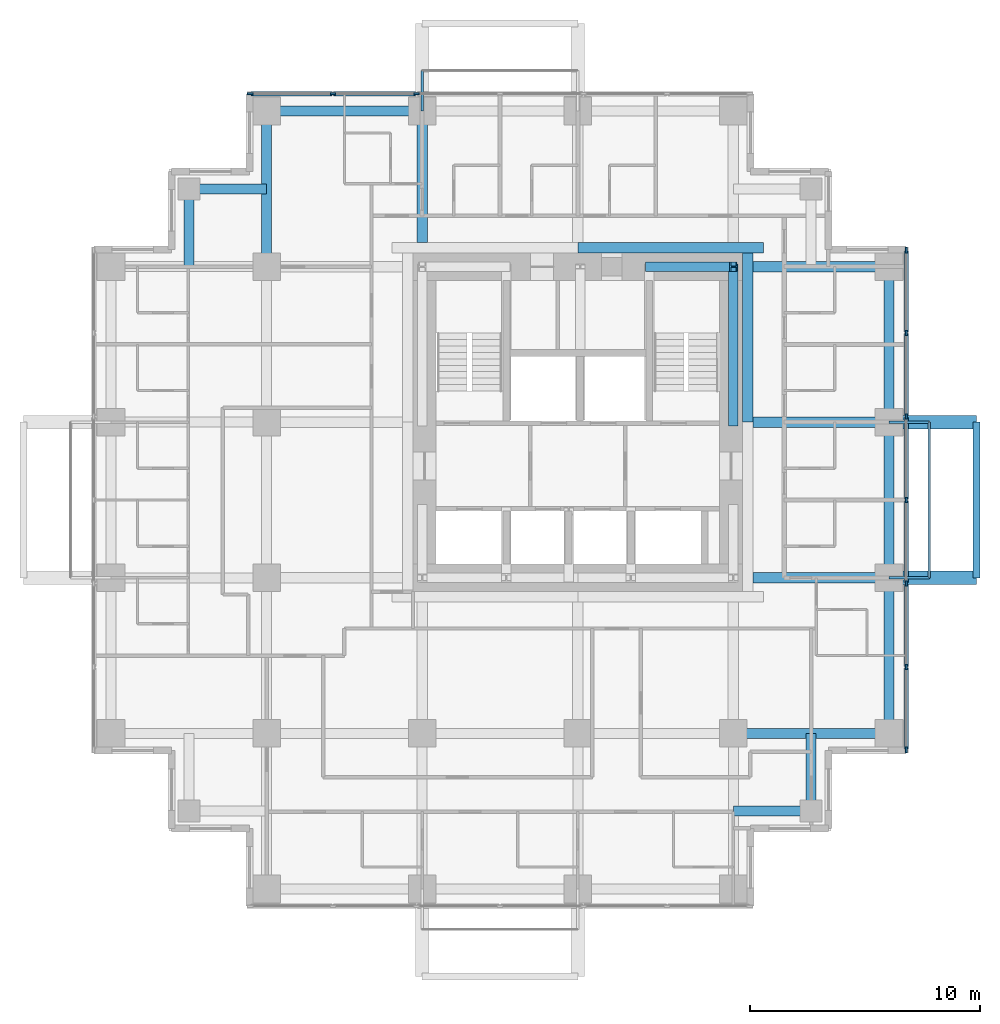
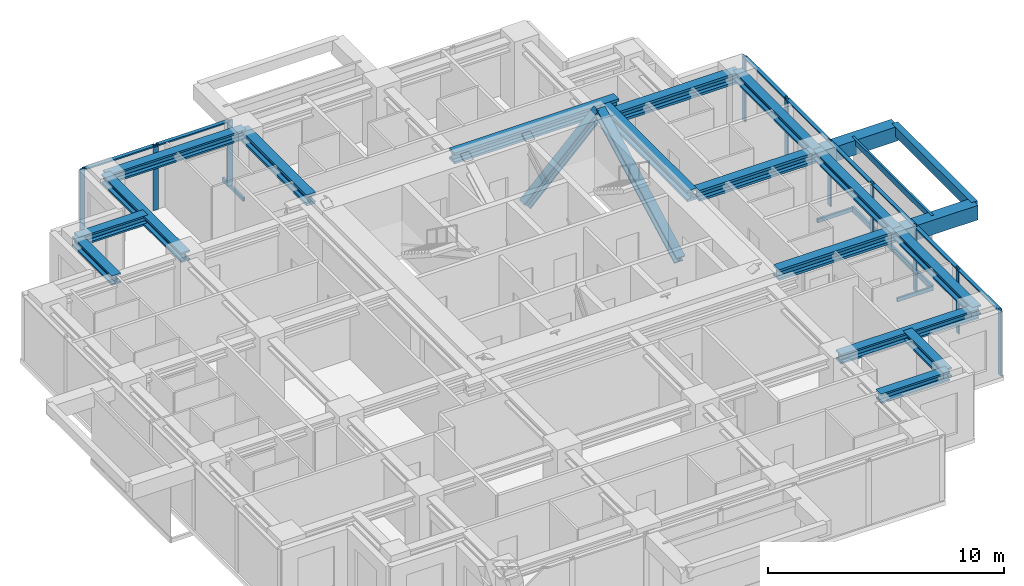
# One storey, part 3 of 10: 25 members, 19 beams, 2 elements without a shape of their own.
"""IFC4 building model written with IfcOpenShell, lengths in metres."""

from ifc_helpers import new_model, si_unit, direction, frame, origin, origin_2d, place, context, subcontext, project, spatial, rectangle, hollow_rectangle, i_section, extrude, material, material_profile, profile_set, type_object, element, aggregate, save


model = new_model("IFC4")

# Units and contexts
model_context = context("Model", 3, precision=1e-05, world=origin(), true_north=direction((0.0, 1.0)))
body_context = subcontext(model_context, "Body", "Model", "MODEL_VIEW")
ifc_project = project(units=[si_unit("LENGTHUNIT", "METRE"), si_unit("AREAUNIT", "SQUARE_METRE"), si_unit("VOLUMEUNIT", "CUBIC_METRE"), si_unit("PLANEANGLEUNIT", "RADIAN"), si_unit("MASSUNIT", "GRAM", prefix="KILO")], contexts=[model_context])

# Site, building, storey
site_placement = place(None, origin())
site = spatial("IfcSite", under=ifc_project, at=site_placement, CompositionType="ELEMENT")
building_placement = place(site_placement, origin())
building = spatial("IfcBuilding", under=site, at=building_placement, Name="Nyansa Garden Tower", CompositionType="ELEMENT")
storey_placement = place(building_placement, frame((0.0, 0.0, 181.800048828125)))
storey = spatial("IfcBuildingStorey", under=building, at=storey_placement, Name="L49", CompositionType="ELEMENT", Elevation=181.800048828125)

# Beams
ifc_material_1 = material(Name="Concrete C70/85", Category="concrete")
ifc_material_profile_1 = material_profile(ifc_material_1, rectangle(XDim=0.60009765625, YDim=0.75, at=origin_2d()), Name="RC 600x750")
ifc_profile_set_1 = profile_set([ifc_material_profile_1], Name="Concrete C70/85")
beam_type_1 = type_object("IfcBeamType", Name="Balcony cantilever beam CB1 RC 600x750", PredefinedType="BEAM", material=ifc_profile_set_1)
for number, where, z_axis, x_axis, name in (
    (1, (33.75, 13.5, 2.98486328125), (1.0, 0.0, 0.0), (0.0, 1.0, 0.0), "Balcony cantilever beam L50"),
    (2, (33.75, 20.25, 2.98486328125), (1.0, 0.0, 0.0), (0.0, 1.0, 0.0), "Balcony cantilever beam L50"),
):
    element("IfcBeam", number, at=place(storey_placement, frame(where, z_axis=z_axis, x_axis=x_axis)), inside=storey, type_object=beam_type_1, Name=name, PredefinedType="BEAM", context=body_context, shape_type="SweptSolid", body=[
        extrude(rectangle(XDim=0.60009765625, YDim=0.75, at=origin_2d()), origin(), (0.0, 0.0, 1.0), 3.800048828125),
    ])
ifc_material_2 = material(Name="Concrete C70/85", Category="concrete")
ifc_material_profile_2 = material_profile(ifc_material_2, rectangle(XDim=0.300048828125, YDim=0.5, at=origin_2d()), Name="RC 300x500")
ifc_profile_set_2 = profile_set([ifc_material_profile_2], Name="Concrete C70/85")
beam_type_2 = type_object("IfcBeamType", Name="Balcony edge beam BE1 RC 300x500", PredefinedType="BEAM", material=ifc_profile_set_2)
beam_1_placement = place(storey_placement, frame((37.550048828125, 13.5, 3.10986328125), z_axis=(0.0, 1.0, 0.0), x_axis=(-1.0, 0.0, 0.0)))
element("IfcBeam", 3, at=beam_1_placement, inside=storey, type_object=beam_type_2, Name="Balcony edge beam L50", PredefinedType="BEAM", context=body_context, shape_type="SweptSolid", body=[
    extrude(rectangle(XDim=0.300048828125, YDim=0.5, at=origin_2d()), origin(), (0.0, 0.0, 1.0), 6.75),
])

# Curtain wall, members
ifc_material_3 = material(Name="Black anodised aluminium, dark tinted double glazing", Category="aluminium")
curtain_wall_type = type_object("IfcCurtainWallType", Name="Inner skin curtain wall ISW-C", PredefinedType="USERDEFINED", material=ifc_material_3)
curtain_wall_1_placement = place(storey_placement, origin())
curtain_wall_1 = element("IfcCurtainWall", 4, at=curtain_wall_1_placement, inside=storey, type_object=curtain_wall_type, Name="Inner skin curtain wall L49 E", ObjectType="UNITISED CURTAIN WALL", PredefinedType="USERDEFINED")
ifc_material_4 = material(Name="Black anodised aluminium", Category="aluminium")
ifc_material_profile_3 = material_profile(ifc_material_4, rectangle(XDim=0.070068359375, YDim=0.25, at=origin_2d()), Name="Mullion 250x70")
ifc_profile_set_3 = profile_set([ifc_material_profile_3], Name="Black anodised aluminium")
member_type_1 = type_object("IfcMemberType", Name="Mullion ISW-C 250x70", PredefinedType="MULLION", material=ifc_profile_set_3)
member_1_placement = place(storey_placement, frame((34.5, 6.034912109375, 0.0), z_axis=(0.0, 0.0, 1.0), x_axis=(-1.0, 0.0, 0.0)))
member_1 = element("IfcMember", 5, at=member_1_placement, type_object=member_type_1, Name="ISW-C mullion 1", PredefinedType="MULLION", context=body_context, shape_type="SweptSolid", body=[
    extrude(rectangle(XDim=0.070068359375, YDim=0.25, at=origin_2d()), origin(), (0.0, 0.0, 1.0), 3.375),
])
member_2_placement = place(storey_placement, frame((34.5, 9.625, 0.0), z_axis=(0.0, 0.0, 1.0), x_axis=(-1.0, 0.0, 0.0)))
member_2 = element("IfcMember", 6, at=member_2_placement, type_object=member_type_1, Name="ISW-C mullion 2", PredefinedType="MULLION", context=body_context, shape_type="SweptSolid", body=[
    extrude(rectangle(XDim=0.070068359375, YDim=0.25, at=origin_2d()), origin(), (0.0, 0.0, 1.0), 3.375),
])
member_3_placement = place(storey_placement, frame((34.5, 13.25, 0.0), z_axis=(0.0, 0.0, 1.0), x_axis=(-1.0, 0.0, 0.0)))
member_3 = element("IfcMember", 7, at=member_3_placement, type_object=member_type_1, Name="ISW-C mullion 3", PredefinedType="MULLION", context=body_context, shape_type="SweptSolid", body=[
    extrude(rectangle(XDim=0.070068359375, YDim=0.25, at=origin_2d()), origin(), (0.0, 0.0, 1.0), 3.375),
])
member_4_placement = place(storey_placement, frame((34.5, 16.875, 0.0), z_axis=(0.0, 0.0, 1.0), x_axis=(-1.0, 0.0, 0.0)))
member_4 = element("IfcMember", 8, at=member_4_placement, type_object=member_type_1, Name="ISW-C mullion 4", PredefinedType="MULLION", context=body_context, shape_type="SweptSolid", body=[
    extrude(rectangle(XDim=0.070068359375, YDim=0.25, at=origin_2d()), origin(), (0.0, 0.0, 1.0), 3.375),
])
member_5_placement = place(storey_placement, frame((34.5, 20.5, 0.0), z_axis=(0.0, 0.0, 1.0), x_axis=(-1.0, 0.0, 0.0)))
member_5 = element("IfcMember", 9, at=member_5_placement, type_object=member_type_1, Name="ISW-C mullion 5", PredefinedType="MULLION", context=body_context, shape_type="SweptSolid", body=[
    extrude(rectangle(XDim=0.070068359375, YDim=0.25, at=origin_2d()), origin(), (0.0, 0.0, 1.0), 3.375),
])
member_6_placement = place(storey_placement, frame((34.5, 24.125, 0.0), z_axis=(0.0, 0.0, 1.0), x_axis=(-1.0, 0.0, 0.0)))
member_6 = element("IfcMember", 10, at=member_6_placement, type_object=member_type_1, Name="ISW-C mullion 6", PredefinedType="MULLION", context=body_context, shape_type="SweptSolid", body=[
    extrude(rectangle(XDim=0.070068359375, YDim=0.25, at=origin_2d()), origin(), (0.0, 0.0, 1.0), 3.375),
])
member_7_placement = place(storey_placement, frame((34.5, 27.715087890625, 0.0), z_axis=(0.0, 0.0, 1.0), x_axis=(-1.0, 0.0, 0.0)))
member_7 = element("IfcMember", 11, at=member_7_placement, type_object=member_type_1, Name="ISW-C mullion 7", PredefinedType="MULLION", context=body_context, shape_type="SweptSolid", body=[
    extrude(rectangle(XDim=0.070068359375, YDim=0.25, at=origin_2d()), origin(), (0.0, 0.0, 1.0), 3.375),
])

curtain_wall_2_placement = place(storey_placement, origin())
curtain_wall_2 = element("IfcCurtainWall", 12, at=curtain_wall_2_placement, inside=storey, type_object=curtain_wall_type, Name="Inner skin curtain wall L49 N", ObjectType="UNITISED CURTAIN WALL", PredefinedType="USERDEFINED")
member_8_placement = place(storey_placement, frame((13.25, 34.5, 0.0), z_axis=(0.0, 0.0, 1.0), x_axis=(0.0, -1.0, 0.0)))
member_8 = element("IfcMember", 13, at=member_8_placement, type_object=member_type_1, Name="ISW-C mullion 5", PredefinedType="MULLION", context=body_context, shape_type="SweptSolid", body=[
    extrude(rectangle(XDim=0.070068359375, YDim=0.25, at=origin_2d()), origin(), (0.0, 0.0, 1.0), 3.375),
])
member_9_placement = place(storey_placement, frame((9.625, 34.5, 0.0), z_axis=(0.0, 0.0, 1.0), x_axis=(0.0, -1.0, 0.0)))
member_9 = element("IfcMember", 14, at=member_9_placement, type_object=member_type_1, Name="ISW-C mullion 6", PredefinedType="MULLION", context=body_context, shape_type="SweptSolid", body=[
    extrude(rectangle(XDim=0.070068359375, YDim=0.25, at=origin_2d()), origin(), (0.0, 0.0, 1.0), 3.375),
])
member_10_placement = place(storey_placement, frame((6.034912109375, 34.5, 0.0), z_axis=(0.0, 0.0, 1.0), x_axis=(0.0, -1.0, 0.0)))
member_10 = element("IfcMember", 15, at=member_10_placement, type_object=member_type_1, Name="ISW-C mullion 7", PredefinedType="MULLION", context=body_context, shape_type="SweptSolid", body=[
    extrude(rectangle(XDim=0.070068359375, YDim=0.25, at=origin_2d()), origin(), (0.0, 0.0, 1.0), 3.375),
])

# Members
ifc_material_5 = material(Name="Steel S355, black powder coated", Category="steel")
ifc_material_profile_4 = material_profile(ifc_material_5, hollow_rectangle(XDim=0.10009765625, YDim=0.199951171875, WallThickness=0.008056640625, at=origin_2d()), Name="RHS 200x100x8")
ifc_profile_set_4 = profile_set([ifc_material_profile_4], Name="Steel S355, black powder coated")
member_type_2 = type_object("IfcMemberType", Name="Outer skin bracket arm RHS 200x100x8", PredefinedType="USERDEFINED", material=ifc_profile_set_4)
for number, where, z_axis, x_axis, name in (
    (16, (33.75, 13.5, -0.375), (1.0, 0.0, 0.0), (0.0, 1.0, 0.0), "Outer skin bracket arm"),
    (17, (33.75, 20.25, -0.375), (1.0, 0.0, 0.0), (0.0, 1.0, 0.0), "Outer skin bracket arm"),
    (18, (13.5, 33.75, -0.375), (0.0, 1.0, 0.0), (-1.0, 0.0, 0.0), "Outer skin bracket arm"),
):
    element("IfcMember", number, at=place(storey_placement, frame(where, z_axis=z_axis, x_axis=x_axis)), inside=storey, type_object=member_type_2, Name=name, ObjectType="OUTER SKIN BRACKET", PredefinedType="USERDEFINED", context=body_context, shape_type="SweptSolid", body=[
        extrude(hollow_rectangle(XDim=0.10009765625, YDim=0.199951171875, WallThickness=0.008056640625, at=origin_2d()), origin(), (0.0, 0.0, 1.0), 1.75),
    ])
ifc_material_6 = material(Name="Steel S355, black powder coated", Category="steel")
ifc_material_profile_5 = material_profile(ifc_material_6, hollow_rectangle(XDim=0.10009765625, YDim=0.300048828125, WallThickness=0.010009765625, at=origin_2d()), Name="RHS 300x100x10")
ifc_profile_set_5 = profile_set([ifc_material_profile_5], Name="Steel S355, black powder coated")
member_type_3 = type_object("IfcMemberType", Name="Outer skin rail RHS 300x100x10", PredefinedType="USERDEFINED", material=ifc_profile_set_5)
for number, where, z_axis, x_axis, name in (
    (19, (35.5, 13.5, -0.375), (0.0, 1.0, 0.0), (-1.0, 0.0, 0.0), "Outer skin rail L49"),
    (20, (35.5, 13.5, 3.224853515625), (0.0, 1.0, 0.0), (-1.0, 0.0, 0.0), "Outer skin rail L49 head"),
):
    element("IfcMember", number, at=place(storey_placement, frame(where, z_axis=z_axis, x_axis=x_axis)), inside=storey, type_object=member_type_3, Name=name, ObjectType="OUTER SKIN RAIL", PredefinedType="USERDEFINED", context=body_context, shape_type="SweptSolid", body=[
        extrude(hollow_rectangle(XDim=0.10009765625, YDim=0.300048828125, WallThickness=0.010009765625, at=origin_2d()), origin(), (0.0, 0.0, 1.0), 6.75),
    ])
ifc_material_7 = material(Name="Steel S355", Category="steel")
ifc_material_profile_6 = material_profile(ifc_material_7, i_section(OverallWidth=0.41796875, OverallDepth=0.455078125, WebThickness=0.0419921875, FlangeThickness=0.067626953125, FilletRadius=0.014892578125, at=origin_2d()), Name="HD 400x463")
ifc_profile_set_6 = profile_set([ifc_material_profile_6], Name="Steel S355")
member_type_4 = type_object("IfcMemberType", Name="Perimeter brace heavy HD 400x463", PredefinedType="BRACE", material=ifc_profile_set_6)
member_11_placement = place(storey_placement, frame((23.35009765625, 27.0, 0.0), z_axis=(0.711971340796, 0.0, 0.702208523079), x_axis=(0.0, 1.0, 0.0)))
element("IfcMember", 21, at=member_11_placement, inside=storey, type_object=member_type_4, Name="Core brace CN4 L49", PredefinedType="BRACE", context=body_context, shape_type="SweptSolid", body=[
    extrude(i_section(OverallWidth=0.41796875, OverallDepth=0.455078125, WebThickness=0.0419921875, FlangeThickness=0.067626953125, FilletRadius=0.014892578125, at=origin_2d()), origin(), (0.0, 0.0, 1.0), 5.12646484375),
])
member_12_placement = place(storey_placement, frame((27.0, 20.199951171875, 0.0), z_axis=(0.0, 0.883797178129, 0.467870225524), x_axis=(-1.0, 0.0, 0.0)))
element("IfcMember", 22, at=member_12_placement, inside=storey, type_object=member_type_4, Name="Core brace CE8 L49", PredefinedType="BRACE", context=body_context, shape_type="SweptSolid", body=[
    extrude(i_section(OverallWidth=0.41796875, OverallDepth=0.455078125, WebThickness=0.0419921875, FlangeThickness=0.067626953125, FilletRadius=0.014892578125, at=origin_2d()), origin(), (0.0, 0.0, 1.0), 7.694091796875),
])

# Beams
ifc_material_8 = material(Name="Steel S355", Category="steel")
ifc_material_profile_7 = material_profile(ifc_material_8, i_section(OverallWidth=0.431884765625, OverallDepth=0.498046875, WebThickness=0.0556640625, FlangeThickness=0.0888671875, FilletRadius=0.014892578125, at=origin_2d()), Name="HD 400x744")
ifc_profile_set_7 = profile_set([ifc_material_profile_7], Name="Steel S355")
beam_type_3 = type_object("IfcBeamType", Name="Steel beam SBC1-744 HD 400x744", PredefinedType="BEAM", material=ifc_profile_set_7)
for number, where, z_axis, x_axis, name in (
    (23, (6.75, 27.0, 3.1259765625), (0.0, 1.0, 0.0), (-1.0, 0.0, 0.0), "Steel beam 3/H-3/J L50"),
    (24, (27.0, 6.75, 3.1259765625), (1.0, 0.0, 0.0), (0.0, 1.0, 0.0), "Steel beam 6/E-7/E L50"),
):
    element("IfcBeam", number, at=place(storey_placement, frame(where, z_axis=z_axis, x_axis=x_axis)), inside=storey, type_object=beam_type_3, Name=name, PredefinedType="BEAM", context=body_context, shape_type="SweptSolid", body=[
        extrude(i_section(OverallWidth=0.431884765625, OverallDepth=0.498046875, WebThickness=0.0556640625, FlangeThickness=0.0888671875, FilletRadius=0.014892578125, at=origin_2d()), origin(), (0.0, 0.0, 1.0), 6.75),
    ])
ifc_material_9 = material(Name="Steel S355", Category="steel")
ifc_material_profile_8 = material_profile(ifc_material_9, i_section(OverallWidth=0.4541015625, OverallDepth=0.569091796875, WebThickness=0.077880859375, FlangeThickness=0.125, FilletRadius=0.014892578125, at=origin_2d()), Name="HD 400x1086")
ifc_profile_set_8 = profile_set([ifc_material_profile_8], Name="Steel S355")
beam_type_4 = type_object("IfcBeamType", Name="Steel beam SCL-1086 HD 400x1086", PredefinedType="BEAM", material=ifc_profile_set_8)
beam_2_placement = place(storey_placement, frame((13.5, 28.050048828125, 3.09033203125), z_axis=(0.0, 1.0, 0.0), x_axis=(-1.0, 0.0, 0.0)))
element("IfcBeam", 25, at=beam_2_placement, inside=storey, type_object=beam_type_4, Name="Steel beam 4/28.050-4/J L50", PredefinedType="BEAM", context=body_context, shape_type="SweptSolid", body=[
    extrude(i_section(OverallWidth=0.4541015625, OverallDepth=0.569091796875, WebThickness=0.077880859375, FlangeThickness=0.125, FilletRadius=0.014892578125, at=origin_2d()), origin(), (0.0, 0.0, 1.0), 5.699951171875),
])
for number, where, z_axis, x_axis, name in (
    (26, (27.85009765625, 13.5, 3.09033203125), (1.0, 0.0, 0.0), (0.0, 1.0, 0.0), "Steel beam 27.850/F-7/F L50"),
    (27, (27.85009765625, 20.25, 3.09033203125), (1.0, 0.0, 0.0), (0.0, 1.0, 0.0), "Steel beam 27.850/G-7/G L50"),
    (28, (27.85009765625, 27.0, 3.09033203125), (1.0, 0.0, 0.0), (0.0, 1.0, 0.0), "Steel beam 27.850/H-7/H L50"),
):
    element("IfcBeam", number, at=place(storey_placement, frame(where, z_axis=z_axis, x_axis=x_axis)), inside=storey, type_object=beam_type_4, Name=name, PredefinedType="BEAM", context=body_context, shape_type="SweptSolid", body=[
        extrude(i_section(OverallWidth=0.4541015625, OverallDepth=0.569091796875, WebThickness=0.077880859375, FlangeThickness=0.125, FilletRadius=0.014892578125, at=origin_2d()), origin(), (0.0, 0.0, 1.0), 5.89990234375),
    ])
beam_3_placement = place(storey_placement, frame((27.626953125, 20.25, 3.09033203125), z_axis=(0.0, 1.0, 0.0), x_axis=(-1.0, 0.0, 0.0)))
element("IfcBeam", 29, at=beam_3_placement, inside=storey, type_object=beam_type_4, Name="Steel core ledger beam E.2 L50", PredefinedType="BEAM", context=body_context, shape_type="SweptSolid", body=[
    extrude(i_section(OverallWidth=0.4541015625, OverallDepth=0.569091796875, WebThickness=0.077880859375, FlangeThickness=0.125, FilletRadius=0.014892578125, at=origin_2d()), origin(), (0.0, 0.0, 1.0), 7.35009765625),
])
beam_4_placement = place(storey_placement, frame((28.300048828125, 27.826904296875, 3.09033203125), z_axis=(-1.0, 0.0, 0.0), x_axis=(0.0, -1.0, 0.0)))
element("IfcBeam", 30, at=beam_4_placement, inside=storey, type_object=beam_type_4, Name="Steel core ledger beam N.1 L50", PredefinedType="BEAM", context=body_context, shape_type="SweptSolid", body=[
    extrude(i_section(OverallWidth=0.4541015625, OverallDepth=0.569091796875, WebThickness=0.077880859375, FlangeThickness=0.125, FilletRadius=0.014892578125, at=origin_2d()), origin(), (0.0, 0.0, 1.0), 8.050048828125),
])
ifc_material_10 = material(Name="Steel S355", Category="steel")
ifc_material_profile_9 = material_profile(ifc_material_10, i_section(OverallWidth=0.431884765625, OverallDepth=0.498046875, WebThickness=0.0556640625, FlangeThickness=0.0888671875, FilletRadius=0.014892578125, at=origin_2d()), Name="HD 400x744")
ifc_profile_set_9 = profile_set([ifc_material_profile_9], Name="Steel S355")
beam_type_5 = type_object("IfcBeamType", Name="Steel beam SEBC-744 HD 400x744", PredefinedType="BEAM", material=ifc_profile_set_9)
for number, where, z_axis, x_axis, name in (
    (31, (6.75, 33.75, 3.1259765625), (1.0, 0.0, 0.0), (0.0, 1.0, 0.0), "Steel edge beam 3/J-4/J L50"),
    (32, (33.75, 6.75, 3.1259765625), (0.0, 1.0, 0.0), (-1.0, 0.0, 0.0), "Steel edge beam 7/E-7/F L50"),
    (33, (33.75, 13.5, 3.1259765625), (0.0, 1.0, 0.0), (-1.0, 0.0, 0.0), "Steel edge beam 7/F-7/G L50"),
    (34, (33.75, 20.25, 3.1259765625), (0.0, 1.0, 0.0), (-1.0, 0.0, 0.0), "Steel edge beam 7/G-7/H L50"),
):
    element("IfcBeam", number, at=place(storey_placement, frame(where, z_axis=z_axis, x_axis=x_axis)), inside=storey, type_object=beam_type_5, Name=name, PredefinedType="BEAM", context=body_context, shape_type="SweptSolid", body=[
        extrude(i_section(OverallWidth=0.431884765625, OverallDepth=0.498046875, WebThickness=0.0556640625, FlangeThickness=0.0888671875, FilletRadius=0.014892578125, at=origin_2d()), origin(), (0.0, 0.0, 1.0), 6.75),
    ])
ifc_material_11 = material(Name="Steel S355", Category="steel")
ifc_material_profile_10 = material_profile(ifc_material_11, i_section(OverallWidth=0.431884765625, OverallDepth=0.498046875, WebThickness=0.0556640625, FlangeThickness=0.0888671875, FilletRadius=0.014892578125, at=origin_2d()), Name="HD 400x744")
ifc_profile_set_10 = profile_set([ifc_material_profile_10], Name="Steel S355")
beam_type_6 = type_object("IfcBeamType", Name="Steel beam SSB1-744 HD 400x744", PredefinedType="BEAM", material=ifc_profile_set_10)
for number, where, z_axis, x_axis, name in (
    (35, (30.375, 3.375, 3.1259765625), (0.0, 1.0, 0.0), (-1.0, 0.0, 0.0), "Steel step beam 30.375/3.375 L50"),
    (36, (30.375, 3.375, 3.1259765625), (-1.0, 0.0, 0.0), (0.0, -1.0, 0.0), "Steel step beam 30.375/3.375 L50"),
    (37, (3.375, 30.375, 3.1259765625), (0.0, -1.0, 0.0), (1.0, 0.0, 0.0), "Steel step beam 3.375/30.375 L50"),
    (38, (3.375, 30.375, 3.1259765625), (1.0, 0.0, 0.0), (0.0, 1.0, 0.0), "Steel step beam 3.375/30.375 L50"),
):
    element("IfcBeam", number, at=place(storey_placement, frame(where, z_axis=z_axis, x_axis=x_axis)), inside=storey, type_object=beam_type_6, Name=name, PredefinedType="BEAM", context=body_context, shape_type="SweptSolid", body=[
        extrude(i_section(OverallWidth=0.431884765625, OverallDepth=0.498046875, WebThickness=0.0556640625, FlangeThickness=0.0888671875, FilletRadius=0.014892578125, at=origin_2d()), origin(), (0.0, 0.0, 1.0), 3.375),
    ])

# Member
ifc_material_12 = material(Name="Black anodised aluminium", Category="aluminium")
ifc_material_profile_11 = material_profile(ifc_material_12, rectangle(XDim=0.179931640625, YDim=0.070068359375, at=origin_2d()), Name="Transom 180x70")
ifc_profile_set_11 = profile_set([ifc_material_profile_11], Name="Black anodised aluminium")
member_type_5 = type_object("IfcMemberType", Name="Transom ISW-C 180x70", PredefinedType="USERDEFINED", material=ifc_profile_set_11)
member_13_placement = place(storey_placement, frame((34.5, 6.070068359375, 3.33984375), z_axis=(0.0, 1.0, 0.0), x_axis=(-1.0, 0.0, 0.0)))
member_13 = element("IfcMember", 39, at=member_13_placement, type_object=member_type_5, Name="ISW-C transom 1", ObjectType="TRANSOM", PredefinedType="USERDEFINED", context=body_context, shape_type="SweptSolid", body=[
    extrude(rectangle(XDim=0.179931640625, YDim=0.070068359375, at=origin_2d()), origin(), (0.0, 0.0, 1.0), 3.52001953125),
])

member_14_placement = place(storey_placement, frame((34.5, 9.659912109375, 3.33984375), z_axis=(0.0, 1.0, 0.0), x_axis=(-1.0, 0.0, 0.0)))
member_14 = element("IfcMember", 40, at=member_14_placement, type_object=member_type_5, Name="ISW-C transom 2", ObjectType="TRANSOM", PredefinedType="USERDEFINED", context=body_context, shape_type="SweptSolid", body=[
    extrude(rectangle(XDim=0.179931640625, YDim=0.070068359375, at=origin_2d()), origin(), (0.0, 0.0, 1.0), 3.55517578125),
])

member_15_placement = place(storey_placement, frame((34.5, 13.284912109375, 3.33984375), z_axis=(0.0, 1.0, 0.0), x_axis=(-1.0, 0.0, 0.0)))
member_15 = element("IfcMember", 41, at=member_15_placement, type_object=member_type_5, Name="ISW-C transom 3", ObjectType="TRANSOM", PredefinedType="USERDEFINED", context=body_context, shape_type="SweptSolid", body=[
    extrude(rectangle(XDim=0.179931640625, YDim=0.070068359375, at=origin_2d()), origin(), (0.0, 0.0, 1.0), 3.55517578125),
])

member_16_placement = place(storey_placement, frame((34.5, 16.909912109375, 3.33984375), z_axis=(0.0, 1.0, 0.0), x_axis=(-1.0, 0.0, 0.0)))
member_16 = element("IfcMember", 42, at=member_16_placement, type_object=member_type_5, Name="ISW-C transom 4", ObjectType="TRANSOM", PredefinedType="USERDEFINED", context=body_context, shape_type="SweptSolid", body=[
    extrude(rectangle(XDim=0.179931640625, YDim=0.070068359375, at=origin_2d()), origin(), (0.0, 0.0, 1.0), 3.55517578125),
])

member_17_placement = place(storey_placement, frame((34.5, 20.534912109375, 3.33984375), z_axis=(0.0, 1.0, 0.0), x_axis=(-1.0, 0.0, 0.0)))
member_17 = element("IfcMember", 43, at=member_17_placement, type_object=member_type_5, Name="ISW-C transom 5", ObjectType="TRANSOM", PredefinedType="USERDEFINED", context=body_context, shape_type="SweptSolid", body=[
    extrude(rectangle(XDim=0.179931640625, YDim=0.070068359375, at=origin_2d()), origin(), (0.0, 0.0, 1.0), 3.55517578125),
])

member_18_placement = place(storey_placement, frame((34.5, 24.159912109375, 3.33984375), z_axis=(0.0, 1.0, 0.0), x_axis=(-1.0, 0.0, 0.0)))
member_18 = element("IfcMember", 44, at=member_18_placement, type_object=member_type_5, Name="ISW-C transom 6", ObjectType="TRANSOM", PredefinedType="USERDEFINED", context=body_context, shape_type="SweptSolid", body=[
    extrude(rectangle(XDim=0.179931640625, YDim=0.070068359375, at=origin_2d()), origin(), (0.0, 0.0, 1.0), 3.52001953125),
])

aggregate(curtain_wall_1, [member_1, member_2, member_3, member_4, member_5, member_6, member_7, member_13, member_14, member_15, member_16, member_17, member_18])

member_19_placement = place(storey_placement, frame((13.215087890625, 34.5, 3.33984375), z_axis=(-1.0, 0.0, 0.0), x_axis=(0.0, -1.0, 0.0)))
member_19 = element("IfcMember", 45, at=member_19_placement, type_object=member_type_5, Name="ISW-C transom 5", ObjectType="TRANSOM", PredefinedType="USERDEFINED", context=body_context, shape_type="SweptSolid", body=[
    extrude(rectangle(XDim=0.179931640625, YDim=0.070068359375, at=origin_2d()), origin(), (0.0, 0.0, 1.0), 3.55517578125),
])

member_20_placement = place(storey_placement, frame((9.590087890625, 34.5, 3.33984375), z_axis=(-1.0, 0.0, 0.0), x_axis=(0.0, -1.0, 0.0)))
member_20 = element("IfcMember", 46, at=member_20_placement, type_object=member_type_5, Name="ISW-C transom 6", ObjectType="TRANSOM", PredefinedType="USERDEFINED", context=body_context, shape_type="SweptSolid", body=[
    extrude(rectangle(XDim=0.179931640625, YDim=0.070068359375, at=origin_2d()), origin(), (0.0, 0.0, 1.0), 3.52001953125),
])

aggregate(curtain_wall_2, [member_8, member_9, member_10, member_19, member_20])

save(model, "model.ifc")
